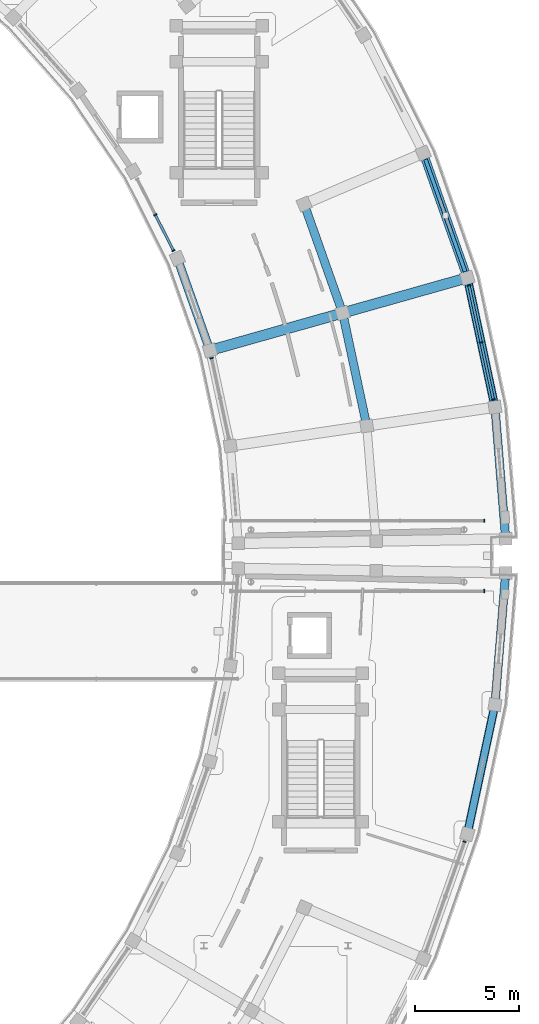
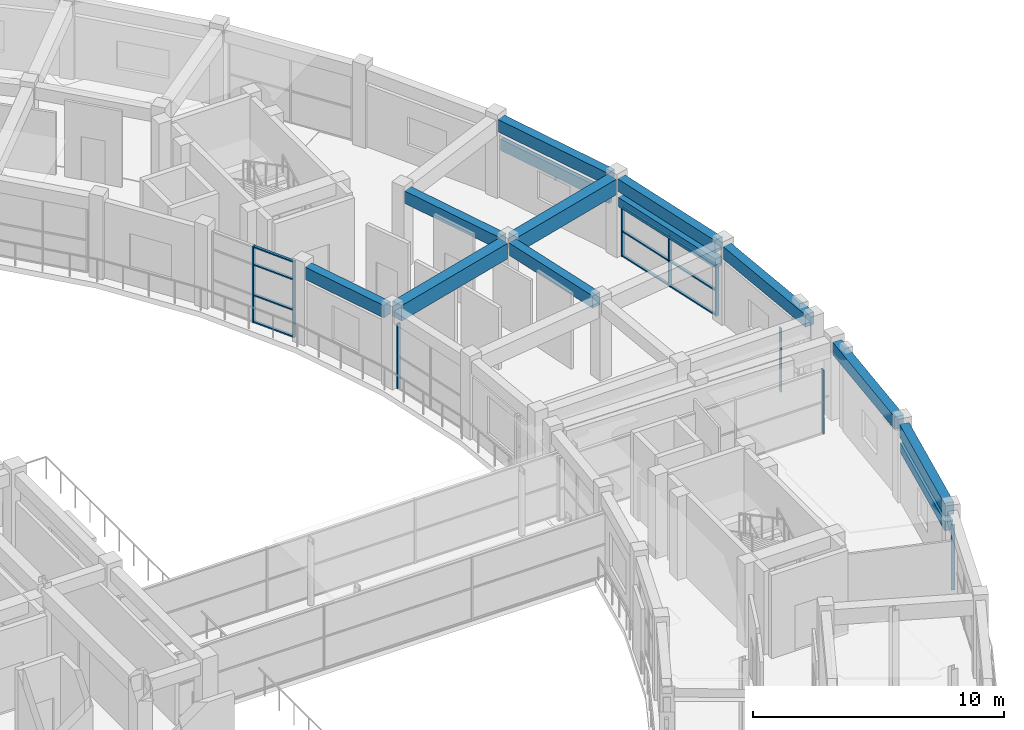
# One storey, part 21 of 53: 20 members, 12 beams, 6 elements without a shape of their own.
"""IFC4 building model written with IfcOpenShell, lengths in metres."""

from ifc_helpers import new_model, si_unit, direction, frame, origin, origin_2d, place, context, subcontext, project, spatial, rectangle, extrude, material, material_profile, profile_set, type_object, element, aggregate, save


model = new_model("IFC4")

# Units and contexts
model_context = context("Model", 3, precision=1e-05, world=origin(), true_north=direction((0.0, 1.0)))
body_context = subcontext(model_context, "Body", "Model", "MODEL_VIEW")
ifc_project = project(units=[si_unit("LENGTHUNIT", "METRE"), si_unit("AREAUNIT", "SQUARE_METRE"), si_unit("VOLUMEUNIT", "CUBIC_METRE"), si_unit("PLANEANGLEUNIT", "RADIAN"), si_unit("MASSUNIT", "GRAM", prefix="KILO")], contexts=[model_context])

# Site, building, storey
site_placement = place(None, origin())
site = spatial("IfcSite", under=ifc_project, at=site_placement, CompositionType="ELEMENT")
building_placement = place(site_placement, origin())
building = spatial("IfcBuilding", under=site, at=building_placement, Name="Saryqyr Civic Hall", CompositionType="ELEMENT")
storey_placement = place(building_placement, frame((0.0, 0.0, 21.300048828125)))
storey = spatial("IfcBuildingStorey", under=building, at=storey_placement, Name="L05", CompositionType="ELEMENT", Elevation=21.300048828125)

# Curtain wall, member
ifc_material_1 = material(Name="Anodised aluminium and triple low-E glass", Category="aluminium")
curtain_wall_type_1 = type_object("IfcCurtainWallType", Name="ENV-CW-STD-40", PredefinedType="NOTDEFINED", material=ifc_material_1)
curtain_wall_1_placement = place(storey_placement, origin())
curtain_wall_1 = element("IfcCurtainWall", 1, at=curtain_wall_1_placement, inside=storey, type_object=curtain_wall_type_1, Name="Curtain wall V5-CWO-L05-07", PredefinedType="NOTDEFINED")
ifc_material_2 = material(Name="Anodised aluminium", Category="aluminium")
ifc_material_profile_1 = material_profile(ifc_material_2, rectangle(XDim=0.06005859375, YDim=0.159912109375, at=origin_2d()), Name="ALU MULLION 60x160")
ifc_profile_set_1 = profile_set([ifc_material_profile_1], Name="Anodised aluminium")
member_type_1 = type_object("IfcMemberType", Name="ENV-CW-MUL-180", PredefinedType="MULLION", material=ifc_profile_set_1)
member_1_placement = place(storey_placement, frame((104.02783203125, 70.322998046875, 0.0), z_axis=(0.0, 0.0, 1.0), x_axis=(-0.33318018147, -0.942863174949, 0.0)))
member_1 = element("IfcMember", 2, at=member_1_placement, type_object=member_type_1, Name="CW-40 mullion 1", PredefinedType="MULLION", context=body_context, shape_type="SweptSolid", body=[
    extrude(rectangle(XDim=0.06005859375, YDim=0.159912109375, at=origin_2d()), origin(), (0.0, 0.0, 1.0), 3.155029296875),
])
aggregate(curtain_wall_1, [member_1])

# Curtain wall, members
curtain_wall_type_2 = type_object("IfcCurtainWallType", Name="ENV-CW-STD-03", PredefinedType="NOTDEFINED", material=ifc_material_1)
curtain_wall_2_placement = place(storey_placement, origin())
curtain_wall_2 = element("IfcCurtainWall", 3, at=curtain_wall_2_placement, inside=storey, type_object=curtain_wall_type_2, Name="Curtain wall V6-CWO-L05-01", PredefinedType="NOTDEFINED")
member_2_placement = place(storey_placement, frame((104.23681640625, 96.939453125, 0.0), z_axis=(0.0, 0.0, 1.0), x_axis=(0.208908324386, -0.97793522894, 0.0)))
member_2 = element("IfcMember", 4, at=member_2_placement, type_object=member_type_1, Name="CW-03 mullion 1", PredefinedType="MULLION", context=body_context, shape_type="SweptSolid", body=[
    extrude(rectangle(XDim=0.06005859375, YDim=0.159912109375, at=origin_2d()), origin(), (0.0, 0.0, 1.0), 2.449951171875),
])
member_3_placement = place(storey_placement, frame((104.819091796875, 94.21435546875, 0.0), z_axis=(0.0, 0.0, 1.0), x_axis=(0.208908324386, -0.97793522894, 0.0)))
member_3 = element("IfcMember", 5, at=member_3_placement, type_object=member_type_1, Name="CW-03 mullion 2", PredefinedType="MULLION", context=body_context, shape_type="SweptSolid", body=[
    extrude(rectangle(XDim=0.06005859375, YDim=0.159912109375, at=origin_2d()), origin(), (0.0, 0.0, 1.0), 2.449951171875),
])
member_4_placement = place(storey_placement, frame((105.401123046875, 91.4892578125, 0.0), z_axis=(0.0, 0.0, 1.0), x_axis=(0.208908324386, -0.97793522894, 0.0)))
member_4 = element("IfcMember", 6, at=member_4_placement, type_object=member_type_1, Name="CW-03 mullion 3", PredefinedType="MULLION", context=body_context, shape_type="SweptSolid", body=[
    extrude(rectangle(XDim=0.06005859375, YDim=0.159912109375, at=origin_2d()), origin(), (0.0, 0.0, 1.0), 2.449951171875),
])

# Curtain wall, member
curtain_wall_type_3 = type_object("IfcCurtainWallType", Name="ENV-CW-STD-21", PredefinedType="NOTDEFINED", material=ifc_material_1)
curtain_wall_3_placement = place(storey_placement, origin())
curtain_wall_3 = element("IfcCurtainWall", 7, at=curtain_wall_3_placement, inside=storey, type_object=curtain_wall_type_3, Name="Curtain wall V6-CWI-L05-01", PredefinedType="NOTDEFINED")
member_5_placement = place(storey_placement, frame((91.91796875, 93.462890625, 0.0), z_axis=(0.0, 0.0, 1.0), x_axis=(-0.208899296688, 0.97793715741, 0.0)))
member_5 = element("IfcMember", 8, at=member_5_placement, type_object=member_type_1, Name="CW-21 mullion 3", PredefinedType="MULLION", context=body_context, shape_type="SweptSolid", body=[
    extrude(rectangle(XDim=0.06005859375, YDim=0.159912109375, at=origin_2d()), origin(), (0.0, 0.0, 1.0), 3.1650390625),
])
aggregate(curtain_wall_3, [member_5])

# Curtain wall, members
curtain_wall_type_4 = type_object("IfcCurtainWallType", Name="ENV-CW-STD-48", PredefinedType="NOTDEFINED", material=ifc_material_1)
curtain_wall_4_placement = place(storey_placement, origin())
curtain_wall_4 = element("IfcCurtainWall", 9, at=curtain_wall_4_placement, inside=storey, type_object=curtain_wall_type_4, Name="Curtain wall V6-CWI-L05-03", PredefinedType="NOTDEFINED")
member_6_placement = place(storey_placement, frame((90.095458984375, 98.607177734375, 0.0), z_axis=(0.0, 0.0, 1.0), x_axis=(-0.451909750219, 0.892063662334, 0.0)))
member_6 = element("IfcMember", 10, at=member_6_placement, type_object=member_type_1, Name="CW-48 mullion 1", PredefinedType="MULLION", context=body_context, shape_type="SweptSolid", body=[
    extrude(rectangle(XDim=0.06005859375, YDim=0.159912109375, at=origin_2d()), origin(), (0.0, 0.0, 1.0), 3.699951171875),
])
member_7_placement = place(storey_placement, frame((89.224853515625, 100.32568359375, 0.0), z_axis=(0.0, 0.0, 1.0), x_axis=(-0.451909750219, 0.892063662334, 0.0)))
member_7 = element("IfcMember", 11, at=member_7_placement, type_object=member_type_1, Name="CW-48 mullion 2", PredefinedType="MULLION", context=body_context, shape_type="SweptSolid", body=[
    extrude(rectangle(XDim=0.06005859375, YDim=0.159912109375, at=origin_2d()), origin(), (0.0, 0.0, 1.0), 3.699951171875),
])

# Curtain wall, member
curtain_wall_type_5 = type_object("IfcCurtainWallType", Name="ENV-CW-STD-81", PredefinedType="NOTDEFINED", material=ifc_material_1)
curtain_wall_5_placement = place(storey_placement, origin())
curtain_wall_5 = element("IfcCurtainWall", 12, at=curtain_wall_5_placement, inside=storey, type_object=curtain_wall_type_5, Name="Curtain wall BR-E-CW1-L05", PredefinedType="NOTDEFINED")
member_8_placement = place(storey_placement, frame((104.969970703125, 82.320068359375, 0.0), z_axis=(0.0, 0.0, 1.0), x_axis=(-1.0, 0.0, 0.0)))
member_8 = element("IfcMember", 13, at=member_8_placement, type_object=member_type_1, Name="CW-81 mullion 1", PredefinedType="MULLION", context=body_context, shape_type="SweptSolid", body=[
    extrude(rectangle(XDim=0.06005859375, YDim=0.159912109375, at=origin_2d()), origin(), (0.0, 0.0, 1.0), 3.099853515625),
])
aggregate(curtain_wall_5, [member_8])

curtain_wall_6_placement = place(storey_placement, origin())
curtain_wall_6 = element("IfcCurtainWall", 14, at=curtain_wall_6_placement, inside=storey, type_object=curtain_wall_type_5, Name="Curtain wall BR-E-CW2-L05", PredefinedType="NOTDEFINED")
member_9_placement = place(storey_placement, frame((104.969970703125, 85.679931640625, 0.0), z_axis=(0.0, 0.0, 1.0), x_axis=(1.0, 0.0, 0.0)))
member_9 = element("IfcMember", 15, at=member_9_placement, type_object=member_type_1, Name="CW-81 mullion 4", PredefinedType="MULLION", context=body_context, shape_type="SweptSolid", body=[
    extrude(rectangle(XDim=0.06005859375, YDim=0.159912109375, at=origin_2d()), origin(), (0.0, 0.0, 1.0), 3.099853515625),
])
aggregate(curtain_wall_6, [member_9])

# Member
ifc_material_profile_2 = material_profile(ifc_material_2, rectangle(XDim=0.1201171875, YDim=0.06005859375, at=origin_2d()), Name="ALU TRANSOM 120x60")
ifc_profile_set_2 = profile_set([ifc_material_profile_2], Name="Anodised aluminium")
member_type_2 = type_object("IfcMemberType", Name="ENV-CW-TRN-150", PredefinedType="USERDEFINED", material=ifc_profile_set_2)
member_10_placement = place(storey_placement, frame((104.2431640625, 96.91015625, 0.030029296875), z_axis=(0.208893103341, -0.977938480364, 0.0), x_axis=(0.977938480364, 0.208893103341, 0.0)))
member_10 = element("IfcMember", 16, at=member_10_placement, type_object=member_type_2, Name="CW-03 transom 1.1", ObjectType="TRANSOM", PredefinedType="USERDEFINED", context=body_context, shape_type="SweptSolid", body=[
    extrude(rectangle(XDim=0.1201171875, YDim=0.06005859375, at=origin_2d()), origin(), (0.0, 0.0, 1.0), 2.7265625),
])

member_11_placement = place(storey_placement, frame((104.2431640625, 96.91015625, 1.224853515625), z_axis=(0.208893103341, -0.977938480364, 0.0), x_axis=(0.977938480364, 0.208893103341, 0.0)))
member_11 = element("IfcMember", 17, at=member_11_placement, type_object=member_type_2, Name="CW-03 transom 1.2", ObjectType="TRANSOM", PredefinedType="USERDEFINED", context=body_context, shape_type="SweptSolid", body=[
    extrude(rectangle(XDim=0.1201171875, YDim=0.06005859375, at=origin_2d()), origin(), (0.0, 0.0, 1.0), 2.7265625),
])

member_12_placement = place(storey_placement, frame((104.2431640625, 96.91015625, 2.419921875), z_axis=(0.208893103341, -0.977938480364, 0.0), x_axis=(0.977938480364, 0.208893103341, 0.0)))
member_12 = element("IfcMember", 18, at=member_12_placement, type_object=member_type_2, Name="CW-03 transom 1.3", ObjectType="TRANSOM", PredefinedType="USERDEFINED", context=body_context, shape_type="SweptSolid", body=[
    extrude(rectangle(XDim=0.1201171875, YDim=0.06005859375, at=origin_2d()), origin(), (0.0, 0.0, 1.0), 2.7265625),
])

member_13_placement = place(storey_placement, frame((104.8251953125, 94.18505859375, 0.030029296875), z_axis=(0.208893103341, -0.977938480364, 0.0), x_axis=(0.977938480364, 0.208893103341, 0.0)))
member_13 = element("IfcMember", 19, at=member_13_placement, type_object=member_type_2, Name="CW-03 transom 2.1", ObjectType="TRANSOM", PredefinedType="USERDEFINED", context=body_context, shape_type="SweptSolid", body=[
    extrude(rectangle(XDim=0.1201171875, YDim=0.06005859375, at=origin_2d()), origin(), (0.0, 0.0, 1.0), 2.7265625),
])

member_14_placement = place(storey_placement, frame((104.8251953125, 94.18505859375, 1.224853515625), z_axis=(0.208893103341, -0.977938480364, 0.0), x_axis=(0.977938480364, 0.208893103341, 0.0)))
member_14 = element("IfcMember", 20, at=member_14_placement, type_object=member_type_2, Name="CW-03 transom 2.2", ObjectType="TRANSOM", PredefinedType="USERDEFINED", context=body_context, shape_type="SweptSolid", body=[
    extrude(rectangle(XDim=0.1201171875, YDim=0.06005859375, at=origin_2d()), origin(), (0.0, 0.0, 1.0), 2.7265625),
])

member_15_placement = place(storey_placement, frame((104.8251953125, 94.18505859375, 2.419921875), z_axis=(0.208893103341, -0.977938480364, 0.0), x_axis=(0.977938480364, 0.208893103341, 0.0)))
member_15 = element("IfcMember", 21, at=member_15_placement, type_object=member_type_2, Name="CW-03 transom 2.3", ObjectType="TRANSOM", PredefinedType="USERDEFINED", context=body_context, shape_type="SweptSolid", body=[
    extrude(rectangle(XDim=0.1201171875, YDim=0.06005859375, at=origin_2d()), origin(), (0.0, 0.0, 1.0), 2.7265625),
])

aggregate(curtain_wall_2, [member_2, member_3, member_4, member_10, member_11, member_12, member_13, member_14, member_15])

member_16_placement = place(storey_placement, frame((90.08203125, 98.634033203125, 0.030029296875), z_axis=(-0.451968956938, 0.892033666385, 0.0), x_axis=(-0.892033666385, -0.451968956938, 0.0)))
member_16 = element("IfcMember", 22, at=member_16_placement, type_object=member_type_2, Name="CW-48 transom 1.1", ObjectType="TRANSOM", PredefinedType="USERDEFINED", context=body_context, shape_type="SweptSolid", body=[
    extrude(rectangle(XDim=0.1201171875, YDim=0.06005859375, at=origin_2d()), origin(), (0.0, 0.0, 1.0), 1.8662109375),
])

member_17_placement = place(storey_placement, frame((90.08203125, 98.634033203125, 1.33203125), z_axis=(-0.451968956938, 0.892033666385, 0.0), x_axis=(-0.892033666385, -0.451968956938, 0.0)))
member_17 = element("IfcMember", 23, at=member_17_placement, type_object=member_type_2, Name="CW-48 transom 1.2", ObjectType="TRANSOM", PredefinedType="USERDEFINED", context=body_context, shape_type="SweptSolid", body=[
    extrude(rectangle(XDim=0.1201171875, YDim=0.06005859375, at=origin_2d()), origin(), (0.0, 0.0, 1.0), 1.8662109375),
])

member_18_placement = place(storey_placement, frame((90.08203125, 98.634033203125, 2.81201171875), z_axis=(-0.451968956938, 0.892033666385, 0.0), x_axis=(-0.892033666385, -0.451968956938, 0.0)))
member_18 = element("IfcMember", 24, at=member_18_placement, type_object=member_type_2, Name="CW-48 transom 1.3", ObjectType="TRANSOM", PredefinedType="USERDEFINED", context=body_context, shape_type="SweptSolid", body=[
    extrude(rectangle(XDim=0.1201171875, YDim=0.06005859375, at=origin_2d()), origin(), (0.0, 0.0, 1.0), 1.8662109375),
])

member_19_placement = place(storey_placement, frame((90.08203125, 98.634033203125, 3.669921875), z_axis=(-0.451968956938, 0.892033666385, 0.0), x_axis=(-0.892033666385, -0.451968956938, 0.0)))
member_19 = element("IfcMember", 25, at=member_19_placement, type_object=member_type_2, Name="CW-48 transom 1.4", ObjectType="TRANSOM", PredefinedType="USERDEFINED", context=body_context, shape_type="SweptSolid", body=[
    extrude(rectangle(XDim=0.1201171875, YDim=0.06005859375, at=origin_2d()), origin(), (0.0, 0.0, 1.0), 1.8662109375),
])

aggregate(curtain_wall_4, [member_6, member_7, member_16, member_17, member_18, member_19])

ifc_material_3 = material(Name="Precast concrete C40/50", Category="concrete")
ifc_material_profile_3 = material_profile(ifc_material_3, rectangle(XDim=0.179931640625, YDim=0.550048828125, at=origin_2d()), Name="PC FIN 180x550")
ifc_profile_set_3 = profile_set([ifc_material_profile_3], Name="Precast concrete C40/50")
member_type_3 = type_object("IfcMemberType", Name="ENV-FIN-PC550", PredefinedType="USERDEFINED", material=ifc_profile_set_3)
member_20_placement = place(storey_placement, frame((104.052001953125, 97.608642578125, 2.52001953125), z_axis=(-0.333161095844, 0.942869919032, 0.0), x_axis=(-0.942869919032, -0.333161095844, 0.0)))
element("IfcMember", 26, at=member_20_placement, inside=storey, type_object=member_type_3, Name="Precast horizontal solar brise-soleil fin V6-L05-02", ObjectType="SOLAR_FIN", PredefinedType="USERDEFINED", context=body_context, shape_type="SweptSolid", body=[
    extrude(rectangle(XDim=0.179931640625, YDim=0.550048828125, at=origin_2d()), origin(), (0.0, 0.0, 1.0), 5.6923828125),
])

# Beams
ifc_material_4 = material(Name="Concrete C35/45", Category="concrete")
ifc_material_profile_4 = material_profile(ifc_material_4, rectangle(XDim=0.39990234375, YDim=0.60009765625, at=origin_2d()), Name="RC 400x600")
ifc_profile_set_4 = profile_set([ifc_material_profile_4], Name="Concrete C35/45")
beam_type_1 = type_object("IfcBeamType", Name="STR-BM-RC400x600", PredefinedType="BEAM", material=ifc_profile_set_4)
for number, where, z_axis, x_axis, name in (
    (27, (99.288330078125, 90.488037109375, 3.489990234375), (-0.208889285381, 0.977939295894, 0.0), (-0.977939295894, -0.208889285381, 0.0), "Beam V6-CBM-MID01-L05"),
    (28, (98.099609375, 95.884033203125, 3.489990234375), (-0.333215168941, 0.942850810674, 0.0), (-0.942850810674, -0.333215168941, 0.0), "Beam V6-CBM-MID02-L05"),
):
    element("IfcBeam", number, at=place(storey_placement, frame(where, z_axis=z_axis, x_axis=x_axis)), inside=storey, type_object=beam_type_1, Name=name, PredefinedType="BEAM", context=body_context, shape_type="SweptSolid", body=[
        extrude(rectangle(XDim=0.39990234375, YDim=0.60009765625, at=origin_2d()), origin(), (0.0, 0.0, 1.0), 4.977783203125),
    ])
ifc_material_profile_5 = material_profile(ifc_material_4, rectangle(XDim=0.39990234375, YDim=0.60009765625, at=origin_2d()), Name="RC 400x600")
ifc_profile_set_5 = profile_set([ifc_material_profile_5], Name="Concrete C35/45")
beam_type_2 = type_object("IfcBeamType", Name="STR-BM-RC400x600-EXT", PredefinedType="BEAM", material=ifc_profile_set_5)
beam_1_placement = place(storey_placement, frame((104.21533203125, 70.960205078125, 3.47998046875), z_axis=(0.208928885594, 0.977930836391, 0.0), x_axis=(-0.977930836391, 0.208928885594, 0.0)))
element("IfcBeam", 29, at=beam_1_placement, inside=storey, type_object=beam_type_2, Name="Beam V5-CBM-OUT08-L05", PredefinedType="BEAM", context=body_context, shape_type="SweptSolid", body=[
    extrude(rectangle(XDim=0.39990234375, YDim=0.60009765625, at=origin_2d()), origin(), (0.0, 0.0, 1.0), 5.7783203125),
])
for number, where, z_axis, x_axis, name in (
    (30, (105.502197265625, 77.154052734375, 3.47998046875), (0.081118754251, 0.996704443508, 0.0), (-0.996704443508, 0.081118754251, 0.0), "Beam V5-CBM-OUT09-L05"),
    (31, (105.970947265625, 85.08642578125, 3.489990234375), (-0.081118754251, 0.996704443508, 0.0), (-0.996704443508, -0.081118754251, 0.0), "Beam V6-CBM-OUT00-L05"),
):
    element("IfcBeam", number, at=place(storey_placement, frame(where, z_axis=z_axis, x_axis=x_axis)), inside=storey, type_object=beam_type_2, Name=name, PredefinedType="BEAM", context=body_context, shape_type="SweptSolid", body=[
        extrude(rectangle(XDim=0.39990234375, YDim=0.60009765625, at=origin_2d()), origin(), (0.0, 0.0, 1.0), 5.778564453125),
    ])
beam_2_placement = place(storey_placement, frame((105.422607421875, 91.388916015625, 3.489990234375), z_axis=(-0.208928885594, 0.977930836391, 0.0), x_axis=(-0.977930836391, -0.208928885594, 0.0)))
element("IfcBeam", 32, at=beam_2_placement, inside=storey, type_object=beam_type_2, Name="Beam V6-CBM-OUT01-L05", PredefinedType="BEAM", context=body_context, shape_type="SweptSolid", body=[
    extrude(rectangle(XDim=0.39990234375, YDim=0.60009765625, at=origin_2d()), origin(), (0.0, 0.0, 1.0), 5.7783203125),
])
beam_3_placement = place(storey_placement, frame((91.74755859375, 94.091552734375, 3.489990234375), z_axis=(-0.333185372097, 0.942861340718, 0.0), x_axis=(-0.942861340718, -0.333185372097, 0.0)))
element("IfcBeam", 33, at=beam_3_placement, inside=storey, type_object=beam_type_2, Name="Beam V6-CBM-IN02-L05", PredefinedType="BEAM", context=body_context, shape_type="SweptSolid", body=[
    extrude(rectangle(XDim=0.39990234375, YDim=0.60009765625, at=origin_2d()), origin(), (0.0, 0.0, 1.0), 4.12548828125),
])
beam_4_placement = place(storey_placement, frame((104.06640625, 97.568115234375, 3.489990234375), z_axis=(-0.333186956354, 0.942860780877, 0.0), x_axis=(-0.942860780877, -0.333186956354, 0.0)))
element("IfcBeam", 34, at=beam_4_placement, inside=storey, type_object=beam_type_2, Name="Beam V6-CBM-OUT02-L05", PredefinedType="BEAM", context=body_context, shape_type="SweptSolid", body=[
    extrude(rectangle(XDim=0.39990234375, YDim=0.60009765625, at=origin_2d()), origin(), (0.0, 0.0, 1.0), 5.7783203125),
])
ifc_material_5 = material(Name="Concrete C40/50", Category="concrete")
ifc_material_profile_6 = material_profile(ifc_material_5, rectangle(XDim=0.5, YDim=0.75, at=origin_2d()), Name="RC 500x750")
ifc_profile_set_6 = profile_set([ifc_material_profile_6], Name="Concrete C40/50")
beam_type_3 = type_object("IfcBeamType", Name="STR-BM-RC500x750", PredefinedType="BEAM", material=ifc_profile_set_6)
beam_5_placement = place(storey_placement, frame((92.10400390625, 93.906982421875, 3.4150390625), z_axis=(0.962414253167, 0.27158572367, 0.0), x_axis=(-0.27158572367, 0.962414253167, 0.0)))
element("IfcBeam", 35, at=beam_5_placement, inside=storey, type_object=beam_type_3, Name="Beam V6-RBM-A02-L05", PredefinedType="BEAM", context=body_context, shape_type="SweptSolid", body=[
    extrude(rectangle(XDim=0.5, YDim=0.75, at=origin_2d()), origin(), (0.0, 0.0, 1.0), 6.0498046875),
])
beam_6_placement = place(storey_placement, frame((98.455810546875, 95.699462890625, 3.4150390625), z_axis=(0.962402766015, 0.271626427226, 0.0), x_axis=(-0.271626427226, 0.962402766015, 0.0)))
element("IfcBeam", 36, at=beam_6_placement, inside=storey, type_object=beam_type_3, Name="Beam V6-RBM-B02-L05", PredefinedType="BEAM", context=body_context, shape_type="SweptSolid", body=[
    extrude(rectangle(XDim=0.5, YDim=0.75, at=origin_2d()), origin(), (0.0, 0.0, 1.0), 5.64990234375),
])
ifc_material_profile_7 = material_profile(ifc_material_3, rectangle(XDim=0.35009765625, YDim=0.449951171875, at=origin_2d()), Name="RC 350x450")
ifc_profile_set_7 = profile_set([ifc_material_profile_7], Name="Precast concrete C40/50")
beam_type_4 = type_object("IfcBeamType", Name="STR-LIN-RC350x450", PredefinedType="LINTEL", material=ifc_profile_set_7)
for number, where, z_axis, x_axis, name in (
    (37, (104.21533203125, 70.960205078125, 2.655029296875), (0.208928885594, 0.977930836391, 0.0), (-0.977930836391, 0.208928885594, 0.0), "Beam V5-LIN-08-L05"),
    (38, (105.422607421875, 91.388916015625, 2.655029296875), (-0.208928885594, 0.977930836391, 0.0), (-0.977930836391, -0.208928885594, 0.0), "Beam V6-LIN-01-L05"),
):
    element("IfcBeam", number, at=place(storey_placement, frame(where, z_axis=z_axis, x_axis=x_axis)), inside=storey, type_object=beam_type_4, Name=name, PredefinedType="LINTEL", context=body_context, shape_type="SweptSolid", body=[
        extrude(rectangle(XDim=0.35009765625, YDim=0.449951171875, at=origin_2d()), origin(), (0.0, 0.0, 1.0), 5.7783203125),
    ])

save(model, "model.ifc")
